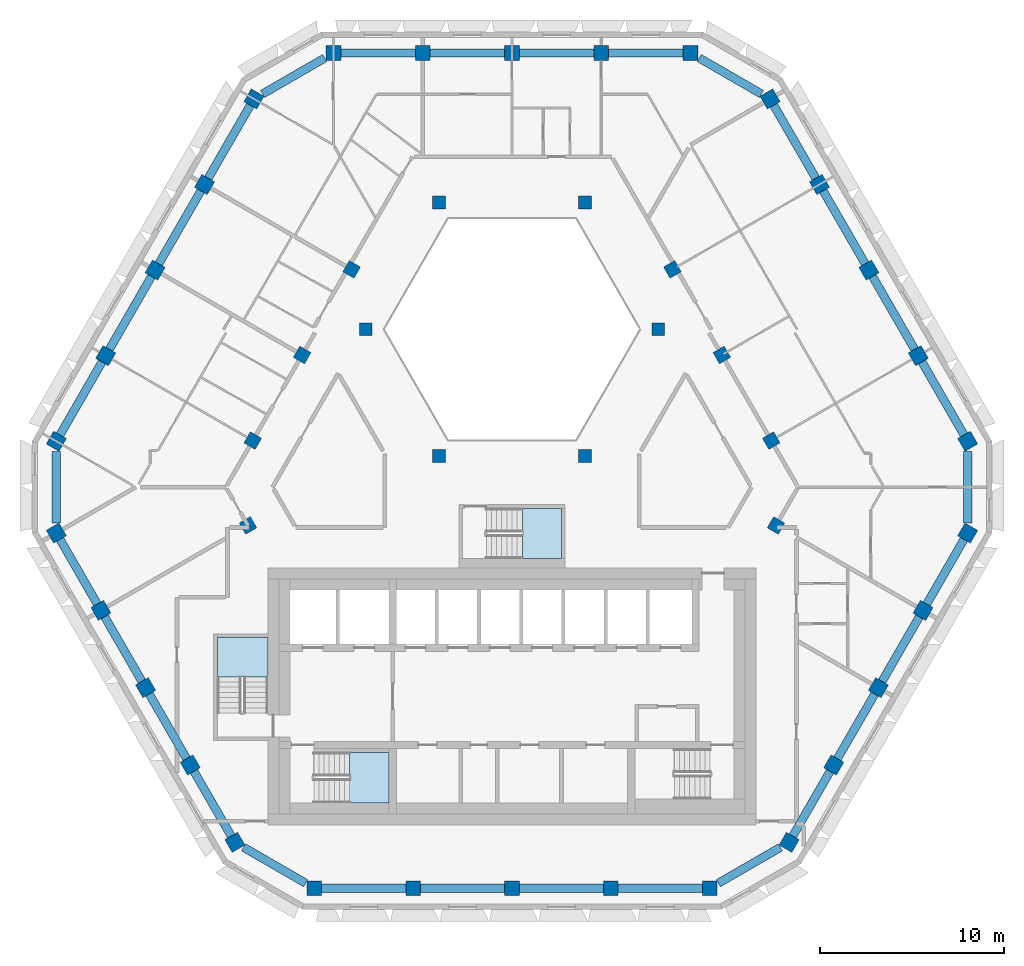
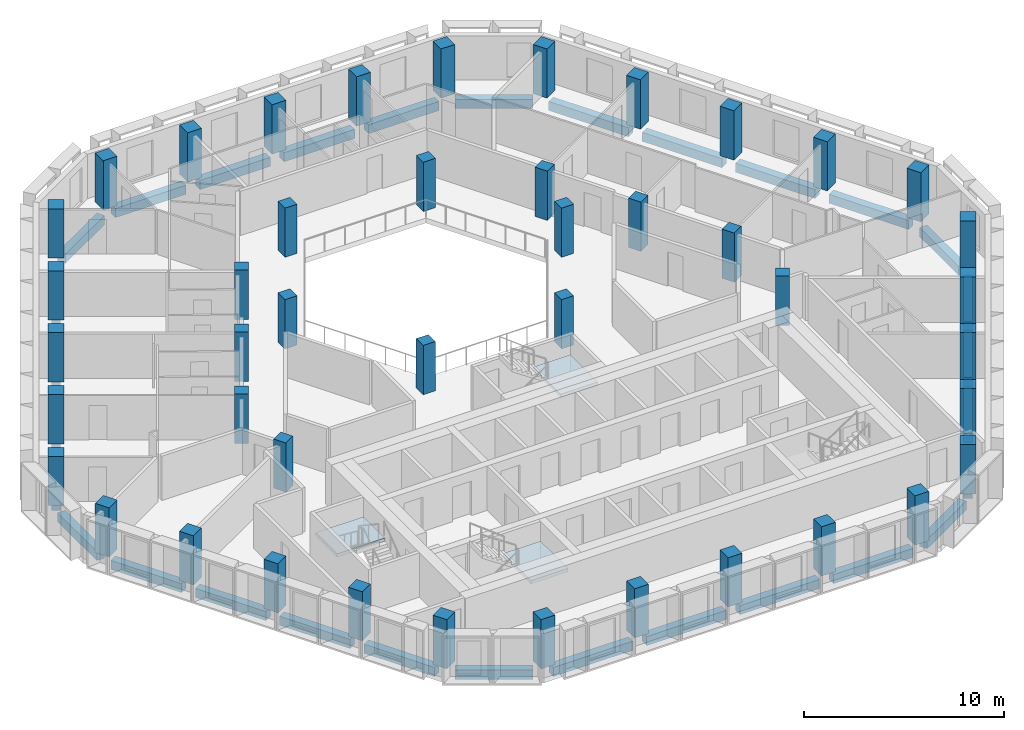
# One storey, part 1 of 15: 44 columns, 30 beams, 3 slabs, 3 elements without a shape of their own.
"""IFC4 building model written with IfcOpenShell, lengths in metres."""

from ifc_helpers import new_model, si_unit, direction, frame, origin, origin_2d, place, context, subcontext, project, spatial, polyline, rectangle, outline, extrude, material, layer, layer_set, material_profile, profile_set, type_object, element, aggregate, save


model = new_model("IFC4")

# Units and contexts
model_context = context("Model", 3, precision=1e-05, world=origin(), true_north=direction((0.0, 1.0)))
body_context = subcontext(model_context, "Body", "Model", "MODEL_VIEW")
ifc_project = project(units=[si_unit("LENGTHUNIT", "METRE"), si_unit("AREAUNIT", "SQUARE_METRE"), si_unit("VOLUMEUNIT", "CUBIC_METRE"), si_unit("PLANEANGLEUNIT", "RADIAN"), si_unit("MASSUNIT", "GRAM", prefix="KILO")], contexts=[model_context])

# Site, building, storey
site_placement = place(None, origin())
site = spatial("IfcSite", under=ifc_project, at=site_placement, CompositionType="ELEMENT")
building_placement = place(site_placement, origin())
building = spatial("IfcBuilding", under=site, at=building_placement, Name="Beryl Residences", CompositionType="ELEMENT")
storey_placement = place(building_placement, frame((0.0, 0.0, 163.199951171875)))
storey = spatial("IfcBuildingStorey", under=building, at=storey_placement, Name="L49", CompositionType="ELEMENT", Elevation=163.199951171875)

# Columns
ifc_material_1 = material(Name="Concrete C50/60", Category="concrete")
ifc_material_profile_1 = material_profile(ifc_material_1, rectangle(XDim=0.800048828125, YDim=0.800048828125, at=origin_2d()))
ifc_profile_set_1 = profile_set([ifc_material_profile_1], Name="Concrete C50/60")
column_type_1 = type_object("IfcColumnType", Name="C4 tube column 800 x 800 C50/60", PredefinedType="COLUMN", material=ifc_profile_set_1)
for number, where, z_axis, x_axis, name in (
    (1, (9.72802734375, 23.050048828125, 0.0), (0.0, 0.0, 1.0), (-1.0, 0.0, 0.0), "C4-N1 L49"),
    (2, (4.864013671875, 23.050048828125, 0.0), (0.0, 0.0, 1.0), (-1.0, 0.0, 0.0), "C4-N2 L49"),
    (3, (0.0, 23.050048828125, 0.0), (0.0, 0.0, 1.0), (-1.0, 0.0, 0.0), "C4-N3 L49"),
    (4, (-4.864013671875, 23.050048828125, 0.0), (0.0, 0.0, 1.0), (-1.0, 0.0, 0.0), "C4-N4 L49"),
    (5, (-9.72802734375, 23.050048828125, 0.0), (0.0, 0.0, 1.0), (-1.0, 0.0, 0.0), "C4-N5 L49"),
    (6, (-14.05810546875, 20.550048828125, 0.0), (0.0, 0.0, 1.0), (-0.5, -0.866025403784, 0.0), "C4-NW1 L49"),
    (7, (-16.75, 15.887939453125, 0.0), (0.0, 0.0, 1.0), (-0.5, -0.866025403784, 0.0), "C4-NW2 L49"),
    (8, (-19.44189453125, 11.22509765625, 0.0), (0.0, 0.0, 1.0), (-0.5, -0.866025403784, 0.0), "C4-NW3 L49"),
    (9, (-22.134033203125, 6.56201171875, 0.0), (0.0, 0.0, 1.0), (-0.5, -0.866025403784, 0.0), "C4-NW4 L49"),
    (10, (-24.825927734375, 1.89990234375, 0.0), (0.0, 0.0, 1.0), (-0.5, -0.866025403784, 0.0), "C4-NW5 L49"),
    (11, (-24.825927734375, -3.09912109375, 0.0), (0.0, 0.0, 1.0), (0.5, -0.866025403784, 0.0), "C4-SW1 L49"),
    (12, (-22.39404296875, -7.31201171875, 0.0), (0.0, 0.0, 1.0), (0.5, -0.866025403784, 0.0), "C4-SW2 L49"),
    (13, (-19.9619140625, -11.52392578125, 0.0), (0.0, 0.0, 1.0), (0.5, -0.866025403784, 0.0), "C4-SW3 L49"),
    (14, (-17.530029296875, -15.736083984375, 0.0), (0.0, 0.0, 1.0), (0.5, -0.866025403784, 0.0), "C4-SW4 L49"),
    (15, (-15.097900390625, -19.948974609375, 0.0), (0.0, 0.0, 1.0), (0.5, -0.866025403784, 0.0), "C4-SW5 L49"),
    (16, (-10.76708984375, -22.449951171875, 0.0), (0.0, 0.0, 1.0), (1.0, 0.0, 0.0), "C4-S1 L49"),
    (17, (-5.383056640625, -22.449951171875, 0.0), (0.0, 0.0, 1.0), (1.0, 0.0, 0.0), "C4-S2 L49"),
    (18, (0.0009765625, -22.449951171875, 0.0), (0.0, 0.0, 1.0), (1.0, 0.0, 0.0), "C4-S3 L49"),
    (19, (5.385009765625, -22.449951171875, 0.0), (0.0, 0.0, 1.0), (1.0, 0.0, 0.0), "C4-S4 L49"),
    (20, (10.76904296875, -22.449951171875, 0.0), (0.0, 0.0, 1.0), (1.0, 0.0, 0.0), "C4-S5 L49"),
    (21, (15.096923828125, -19.950927734375, 0.0), (0.0, 0.0, 1.0), (0.5, 0.866025403784, 0.0), "C4-SE1 L49"),
    (22, (17.529052734375, -15.738037109375, 0.0), (0.0, 0.0, 1.0), (0.5, 0.866025403784, 0.0), "C4-SE2 L49"),
    (23, (19.9609375, -11.52587890625, 0.0), (0.0, 0.0, 1.0), (0.5, 0.866025403784, 0.0), "C4-SE3 L49"),
    (24, (22.39306640625, -7.31396484375, 0.0), (0.0, 0.0, 1.0), (0.5, 0.866025403784, 0.0), "C4-SE4 L49"),
    (25, (24.824951171875, -3.10107421875, 0.0), (0.0, 0.0, 1.0), (0.5, 0.866025403784, 0.0), "C4-SE5 L49"),
    (26, (24.825927734375, 1.89990234375, 0.0), (0.0, 0.0, 1.0), (-0.5, 0.866025403784, 0.0), "C4-NE1 L49"),
    (27, (22.134033203125, 6.56201171875, 0.0), (0.0, 0.0, 1.0), (-0.5, 0.866025403784, 0.0), "C4-NE2 L49"),
    (28, (19.44189453125, 11.22509765625, 0.0), (0.0, 0.0, 1.0), (-0.5, 0.866025403784, 0.0), "C4-NE3 L49"),
    (29, (16.75, 15.887939453125, 0.0), (0.0, 0.0, 1.0), (-0.5, 0.866025403784, 0.0), "C4-NE4 L49"),
    (30, (14.05810546875, 20.550048828125, 0.0), (0.0, 0.0, 1.0), (-0.5, 0.866025403784, 0.0), "C4-NE5 L49"),
):
    element("IfcColumn", number, at=place(storey_placement, frame(where, z_axis=z_axis, x_axis=x_axis)), inside=storey, type_object=column_type_1, Name=name, PredefinedType="COLUMN", context=body_context, shape_type="SweptSolid", body=[
        extrude(rectangle(XDim=0.800048828125, YDim=0.800048828125, at=origin_2d()), origin(), (0.0, 0.0, 1.0), 3.0),
    ])
ifc_material_2 = material(Name="Concrete C50/60", Category="concrete")
ifc_material_profile_2 = material_profile(ifc_material_2, rectangle(XDim=0.699951171875, YDim=0.699951171875, at=origin_2d()))
ifc_profile_set_2 = profile_set([ifc_material_profile_2], Name="Concrete C50/60")
column_type_2 = type_object("IfcColumnType", Name="IC4 interior column 700 x 700 C50/60", PredefinedType="COLUMN", material=ifc_profile_set_2)
for number, where, z_axis, x_axis, name in (
    (31, (-14.383056640625, -2.68701171875, 0.0), (0.0, 0.0, 1.0), (0.5, -0.866025403784, 0.0), "IC4-M01 L49"),
    (32, (14.382080078125, -2.68896484375, 0.0), (0.0, 0.0, 1.0), (0.5, 0.866025403784, 0.0), "IC4-M02 L49"),
    (33, (14.123046875, 1.93701171875, 0.0), (0.0, 0.0, 1.0), (-0.5, 0.866025403784, 0.0), "IC4-M03 L49"),
    (34, (3.98388671875, 1.10009765625, 0.0), (0.0, 0.0, 1.0), (1.0, 0.0, 0.0), "IC4-A04 L49"),
    (35, (11.430908203125, 6.60009765625, 0.0), (0.0, 0.0, 1.0), (-0.5, 0.866025403784, 0.0), "IC4-M05 L49"),
    (36, (7.967041015625, 8.0, 0.0), (0.0, 0.0, 1.0), (1.0, 0.0, 0.0), "IC4-A06 L49"),
    (37, (8.739013671875, 11.262939453125, 0.0), (0.0, 0.0, 1.0), (-0.5, 0.866025403784, 0.0), "IC4-M07 L49"),
    (38, (3.98388671875, 14.89990234375, 0.0), (0.0, 0.0, 1.0), (1.0, 0.0, 0.0), "IC4-A08 L49"),
    (39, (-3.98388671875, 14.89990234375, 0.0), (0.0, 0.0, 1.0), (1.0, 0.0, 0.0), "IC4-A09 L49"),
    (40, (-8.739013671875, 11.262939453125, 0.0), (0.0, 0.0, 1.0), (-0.5, -0.866025403784, 0.0), "IC4-M10 L49"),
    (41, (-7.967041015625, 8.0, 0.0), (0.0, 0.0, 1.0), (1.0, 0.0, 0.0), "IC4-A11 L49"),
    (42, (-11.430908203125, 6.60009765625, 0.0), (0.0, 0.0, 1.0), (-0.5, -0.866025403784, 0.0), "IC4-M12 L49"),
    (43, (-3.98388671875, 1.10009765625, 0.0), (0.0, 0.0, 1.0), (1.0, 0.0, 0.0), "IC4-A13 L49"),
    (44, (-14.123046875, 1.93701171875, 0.0), (0.0, 0.0, 1.0), (-0.5, -0.866025403784, 0.0), "IC4-M14 L49"),
):
    element("IfcColumn", number, at=place(storey_placement, frame(where, z_axis=z_axis, x_axis=x_axis)), inside=storey, type_object=column_type_2, Name=name, PredefinedType="COLUMN", context=body_context, shape_type="SweptSolid", body=[
        extrude(rectangle(XDim=0.699951171875, YDim=0.699951171875, at=origin_2d()), origin(), (0.0, 0.0, 1.0), 3.0),
    ])

# Beams
ifc_material_3 = material(Name="Concrete C50/60", Category="concrete")
ifc_material_profile_3 = material_profile(ifc_material_3, rectangle(XDim=0.449951171875, YDim=0.550048828125, at=origin_2d()))
ifc_profile_set_3 = profile_set([ifc_material_profile_3], Name="Concrete C50/60")
beam_type = type_object("IfcBeamType", Name="SB4 spandrel beam 450 x 550 C50/60", PredefinedType="SPANDREL", material=ifc_profile_set_3)
beam_1_placement = place(storey_placement, frame((9.327880859375, 23.050048828125, -0.574951171875), z_axis=(-1.0, 0.0, 0.0), x_axis=(0.0, -1.0, 0.0)))
element("IfcBeam", 45, at=beam_1_placement, inside=storey, type_object=beam_type, Name="SB4 L49 N-0", PredefinedType="SPANDREL", context=body_context, shape_type="SweptSolid", body=[
    extrude(rectangle(XDim=0.449951171875, YDim=0.550048828125, at=origin_2d()), origin(), (0.0, 0.0, 1.0), 4.06396484375),
])
for number, where, z_axis, x_axis, name in (
    (46, (4.464111328125, 23.050048828125, -0.574951171875), (-1.0, 0.0, 0.0), (0.0, -1.0, 0.0), "SB4 L49 N-1"),
    (47, (-0.39990234375, 23.050048828125, -0.574951171875), (-1.0, 0.0, 0.0), (0.0, -1.0, 0.0), "SB4 L49 N-2"),
):
    element("IfcBeam", number, at=place(storey_placement, frame(where, z_axis=z_axis, x_axis=x_axis)), inside=storey, type_object=beam_type, Name=name, PredefinedType="SPANDREL", context=body_context, shape_type="SweptSolid", body=[
        extrude(rectangle(XDim=0.449951171875, YDim=0.550048828125, at=origin_2d()), origin(), (0.0, 0.0, 1.0), 4.064208984375),
    ])
beam_2_placement = place(storey_placement, frame((-5.263916015625, 23.050048828125, -0.574951171875), z_axis=(-1.0, 0.0, 0.0), x_axis=(0.0, -1.0, 0.0)))
element("IfcBeam", 48, at=beam_2_placement, inside=storey, type_object=beam_type, Name="SB4 L49 N-3", PredefinedType="SPANDREL", context=body_context, shape_type="SweptSolid", body=[
    extrude(rectangle(XDim=0.449951171875, YDim=0.550048828125, at=origin_2d()), origin(), (0.0, 0.0, 1.0), 4.06396484375),
])
beam_3_placement = place(storey_placement, frame((-10.200927734375, 22.777099609375, -0.574951171875), z_axis=(-0.865988935984, -0.500063158763, 0.0), x_axis=(0.500063158763, -0.865988935984, 0.0)))
element("IfcBeam", 49, at=beam_3_placement, inside=storey, type_object=beam_type, Name="SB4 L49 N-4", PredefinedType="SPANDREL", context=body_context, shape_type="SweptSolid", body=[
    extrude(rectangle(XDim=0.449951171875, YDim=0.550048828125, at=origin_2d()), origin(), (0.0, 0.0, 1.0), 3.90771484375),
])
beam_4_placement = place(storey_placement, frame((-14.258056640625, 20.2041015625, -0.574951171875), z_axis=(-0.499965247104, -0.866045467449, 0.0), x_axis=(0.866045467449, -0.499965247104, 0.0)))
element("IfcBeam", 50, at=beam_4_placement, inside=storey, type_object=beam_type, Name="SB4 L49 NW-0", PredefinedType="SPANDREL", context=body_context, shape_type="SweptSolid", body=[
    extrude(rectangle(XDim=0.449951171875, YDim=0.550048828125, at=origin_2d()), origin(), (0.0, 0.0, 1.0), 4.584228515625),
])
for number, where, z_axis, x_axis, name in (
    (51, (-16.949951171875, 15.5419921875, -0.574951171875), (-0.499896077001, -0.866085395443, 0.0), (0.866085395443, -0.499896077001, 0.0), "SB4 L49 NW-1"),
    (52, (-19.64208984375, 10.87890625, -0.574951171875), (-0.499896077001, -0.866085395443, 0.0), (0.866085395443, -0.499896077001, 0.0), "SB4 L49 NW-2"),
):
    element("IfcBeam", number, at=place(storey_placement, frame(where, z_axis=z_axis, x_axis=x_axis)), inside=storey, type_object=beam_type, Name=name, PredefinedType="SPANDREL", context=body_context, shape_type="SweptSolid", body=[
        extrude(rectangle(XDim=0.449951171875, YDim=0.550048828125, at=origin_2d()), origin(), (0.0, 0.0, 1.0), 4.5849609375),
    ])
beam_5_placement = place(storey_placement, frame((-22.333984375, 6.216064453125, -0.574951171875), z_axis=(-0.49998830735, -0.866032154434, 0.0), x_axis=(0.866032154434, -0.49998830735, 0.0)))
element("IfcBeam", 53, at=beam_5_placement, inside=storey, type_object=beam_type, Name="SB4 L49 NW-3", PredefinedType="SPANDREL", context=body_context, shape_type="SweptSolid", body=[
    extrude(rectangle(XDim=0.449951171875, YDim=0.550048828125, at=origin_2d()), origin(), (0.0, 0.0, 1.0), 4.583984375),
])
beam_6_placement = place(storey_placement, frame((-24.825927734375, 1.35400390625, -0.574951171875), z_axis=(0.0, -1.0, 0.0), x_axis=(1.0, 0.0, 0.0)))
element("IfcBeam", 54, at=beam_6_placement, inside=storey, type_object=beam_type, Name="SB4 L49 NW-4", PredefinedType="SPANDREL", context=body_context, shape_type="SweptSolid", body=[
    extrude(rectangle(XDim=0.449951171875, YDim=0.550048828125, at=origin_2d()), origin(), (0.0, 0.0, 1.0), 3.906982421875),
])
beam_7_placement = place(storey_placement, frame((-24.6259765625, -3.445068359375, -0.574951171875), z_axis=(0.499840293234, -0.866117590896, 0.0), x_axis=(0.866117590896, 0.499840293234, 0.0)))
element("IfcBeam", 55, at=beam_7_placement, inside=storey, type_object=beam_type, Name="SB4 L49 SW-0", PredefinedType="SPANDREL", context=body_context, shape_type="SweptSolid", body=[
    extrude(rectangle(XDim=0.449951171875, YDim=0.550048828125, at=origin_2d()), origin(), (0.0, 0.0, 1.0), 4.065185546875),
])
beam_8_placement = place(storey_placement, frame((-22.194091796875, -7.657958984375, -0.574951171875), z_axis=(0.499944307952, -0.866057555216, 0.0), x_axis=(0.866057555216, 0.499944307952, 0.0)))
element("IfcBeam", 56, at=beam_8_placement, inside=storey, type_object=beam_type, Name="SB4 L49 SW-1", PredefinedType="SPANDREL", context=body_context, shape_type="SweptSolid", body=[
    extrude(rectangle(XDim=0.449951171875, YDim=0.550048828125, at=origin_2d()), origin(), (0.0, 0.0, 1.0), 4.064453125),
])
beam_9_placement = place(storey_placement, frame((-19.761962890625, -11.8701171875, -0.574951171875), z_axis=(0.499970317269, -0.866042540439, 0.0), x_axis=(0.866042540439, 0.499970317269, 0.0)))
element("IfcBeam", 57, at=beam_9_placement, inside=storey, type_object=beam_type, Name="SB4 L49 SW-2", PredefinedType="SPANDREL", context=body_context, shape_type="SweptSolid", body=[
    extrude(rectangle(XDim=0.449951171875, YDim=0.550048828125, at=origin_2d()), origin(), (0.0, 0.0, 1.0), 4.064208984375),
])
beam_10_placement = place(storey_placement, frame((-17.330078125, -16.08203125, -0.574951171875), z_axis=(0.499840293234, -0.866117590896, 0.0), x_axis=(0.866117590896, 0.499840293234, 0.0)))
element("IfcBeam", 58, at=beam_10_placement, inside=storey, type_object=beam_type, Name="SB4 L49 SW-3", PredefinedType="SPANDREL", context=body_context, shape_type="SweptSolid", body=[
    extrude(rectangle(XDim=0.449951171875, YDim=0.550048828125, at=origin_2d()), origin(), (0.0, 0.0, 1.0), 4.065185546875),
])
beam_11_placement = place(storey_placement, frame((-14.625, -20.221923828125, -0.574951171875), z_axis=(0.865943218558, -0.500142321977, 0.0), x_axis=(0.500142321977, 0.865943218558, 0.0)))
element("IfcBeam", 59, at=beam_11_placement, inside=storey, type_object=beam_type, Name="SB4 L49 SW-4", PredefinedType="SPANDREL", context=body_context, shape_type="SweptSolid", body=[
    extrude(rectangle(XDim=0.449951171875, YDim=0.550048828125, at=origin_2d()), origin(), (0.0, 0.0, 1.0), 3.908935546875),
])
for number, where, z_axis, x_axis, name in (
    (60, (-10.366943359375, -22.449951171875, -0.574951171875), (1.0, 0.0, 0.0), (0.0, 1.0, 0.0), "SB4 L49 S-0"),
    (61, (-4.98291015625, -22.449951171875, -0.574951171875), (1.0, 0.0, 0.0), (0.0, 1.0, 0.0), "SB4 L49 S-1"),
):
    element("IfcBeam", number, at=place(storey_placement, frame(where, z_axis=z_axis, x_axis=x_axis)), inside=storey, type_object=beam_type, Name=name, PredefinedType="SPANDREL", context=body_context, shape_type="SweptSolid", body=[
        extrude(rectangle(XDim=0.449951171875, YDim=0.550048828125, at=origin_2d()), origin(), (0.0, 0.0, 1.0), 4.583984375),
    ])
beam_12_placement = place(storey_placement, frame((0.40087890625, -22.449951171875, -0.574951171875), z_axis=(1.0, 0.0, 0.0), x_axis=(0.0, 1.0, 0.0)))
element("IfcBeam", 62, at=beam_12_placement, inside=storey, type_object=beam_type, Name="SB4 L49 S-2", PredefinedType="SPANDREL", context=body_context, shape_type="SweptSolid", body=[
    extrude(rectangle(XDim=0.449951171875, YDim=0.550048828125, at=origin_2d()), origin(), (0.0, 0.0, 1.0), 4.584228515625),
])
beam_13_placement = place(storey_placement, frame((5.784912109375, -22.449951171875, -0.574951171875), z_axis=(1.0, 0.0, 0.0), x_axis=(0.0, 1.0, 0.0)))
element("IfcBeam", 63, at=beam_13_placement, inside=storey, type_object=beam_type, Name="SB4 L49 S-3", PredefinedType="SPANDREL", context=body_context, shape_type="SweptSolid", body=[
    extrude(rectangle(XDim=0.449951171875, YDim=0.550048828125, at=origin_2d()), origin(), (0.0, 0.0, 1.0), 4.583984375),
])
beam_14_placement = place(storey_placement, frame((11.241943359375, -22.177001953125, -0.574951171875), z_axis=(0.865999234303, 0.500045324131, 0.0), x_axis=(-0.500045324131, 0.865999234303, 0.0)))
element("IfcBeam", 64, at=beam_14_placement, inside=storey, type_object=beam_type, Name="SB4 L49 S-4", PredefinedType="SPANDREL", context=body_context, shape_type="SweptSolid", body=[
    extrude(rectangle(XDim=0.449951171875, YDim=0.550048828125, at=origin_2d()), origin(), (0.0, 0.0, 1.0), 3.905517578125),
])
beam_15_placement = place(storey_placement, frame((15.297119140625, -19.60498046875, -0.574951171875), z_axis=(0.499840293234, 0.866117590896, 0.0), x_axis=(-0.866117590896, 0.499840293234, 0.0)))
element("IfcBeam", 65, at=beam_15_placement, inside=storey, type_object=beam_type, Name="SB4 L49 SE-0", PredefinedType="SPANDREL", context=body_context, shape_type="SweptSolid", body=[
    extrude(rectangle(XDim=0.449951171875, YDim=0.550048828125, at=origin_2d()), origin(), (0.0, 0.0, 1.0), 4.065185546875),
])
for number, where, z_axis, x_axis, name in (
    (66, (17.72900390625, -15.39208984375, -0.574951171875), (0.499944307952, 0.866057555216, 0.0), (-0.866057555216, 0.499944307952, 0.0), "SB4 L49 SE-1"),
    (67, (20.160888671875, -11.179931640625, -0.574951171875), (0.499989360119, 0.866031546636, 0.0), (-0.866031546636, 0.499989360119, 0.0), "SB4 L49 SE-2"),
):
    element("IfcBeam", number, at=place(storey_placement, frame(where, z_axis=z_axis, x_axis=x_axis)), inside=storey, type_object=beam_type, Name=name, PredefinedType="SPANDREL", context=body_context, shape_type="SweptSolid", body=[
        extrude(rectangle(XDim=0.449951171875, YDim=0.550048828125, at=origin_2d()), origin(), (0.0, 0.0, 1.0), 4.064453125),
    ])
beam_16_placement = place(storey_placement, frame((22.593017578125, -6.968017578125, -0.574951171875), z_axis=(0.499840293234, 0.866117590896, 0.0), x_axis=(-0.866117590896, 0.499840293234, 0.0)))
element("IfcBeam", 68, at=beam_16_placement, inside=storey, type_object=beam_type, Name="SB4 L49 SE-3", PredefinedType="SPANDREL", context=body_context, shape_type="SweptSolid", body=[
    extrude(rectangle(XDim=0.449951171875, YDim=0.550048828125, at=origin_2d()), origin(), (0.0, 0.0, 1.0), 4.065185546875),
])
beam_17_placement = place(storey_placement, frame((24.824951171875, -2.554931640625, -0.574951171875), z_axis=(0.000249828235, 0.999999968793, 0.0), x_axis=(-0.999999968793, 0.000249828235, 0.0)))
element("IfcBeam", 69, at=beam_17_placement, inside=storey, type_object=beam_type, Name="SB4 L49 SE-4", PredefinedType="SPANDREL", context=body_context, shape_type="SweptSolid", body=[
    extrude(rectangle(XDim=0.449951171875, YDim=0.550048828125, at=origin_2d()), origin(), (0.0, 0.0, 1.0), 3.908935546875),
])
beam_18_placement = place(storey_placement, frame((24.6259765625, 2.24609375, -0.574951171875), z_axis=(-0.49998830735, 0.866032154434, 0.0), x_axis=(-0.866032154434, -0.49998830735, 0.0)))
element("IfcBeam", 70, at=beam_18_placement, inside=storey, type_object=beam_type, Name="SB4 L49 NE-0", PredefinedType="SPANDREL", context=body_context, shape_type="SweptSolid", body=[
    extrude(rectangle(XDim=0.449951171875, YDim=0.550048828125, at=origin_2d()), origin(), (0.0, 0.0, 1.0), 4.583984375),
])
for number, where, z_axis, x_axis, name in (
    (71, (21.93408203125, 6.907958984375, -0.574951171875), (-0.499896077001, 0.866085395443, 0.0), (-0.866085395443, -0.499896077001, 0.0), "SB4 L49 NE-1"),
    (72, (19.241943359375, 11.571044921875, -0.574951171875), (-0.499896077001, 0.866085395443, 0.0), (-0.866085395443, -0.499896077001, 0.0), "SB4 L49 NE-2"),
):
    element("IfcBeam", number, at=place(storey_placement, frame(where, z_axis=z_axis, x_axis=x_axis)), inside=storey, type_object=beam_type, Name=name, PredefinedType="SPANDREL", context=body_context, shape_type="SweptSolid", body=[
        extrude(rectangle(XDim=0.449951171875, YDim=0.550048828125, at=origin_2d()), origin(), (0.0, 0.0, 1.0), 4.5849609375),
    ])
beam_19_placement = place(storey_placement, frame((16.550048828125, 16.23388671875, -0.574951171875), z_axis=(-0.499965247104, 0.866045467449, 0.0), x_axis=(-0.866045467449, -0.499965247104, 0.0)))
element("IfcBeam", 73, at=beam_19_placement, inside=storey, type_object=beam_type, Name="SB4 L49 NE-3", PredefinedType="SPANDREL", context=body_context, shape_type="SweptSolid", body=[
    extrude(rectangle(XDim=0.449951171875, YDim=0.550048828125, at=origin_2d()), origin(), (0.0, 0.0, 1.0), 4.584228515625),
])
beam_20_placement = place(storey_placement, frame((13.5849609375, 20.822998046875, -0.574951171875), z_axis=(-0.865988935984, 0.500063158763, 0.0), x_axis=(-0.500063158763, -0.865988935984, 0.0)))
element("IfcBeam", 74, at=beam_20_placement, inside=storey, type_object=beam_type, Name="SB4 L49 NE-4", PredefinedType="SPANDREL", context=body_context, shape_type="SweptSolid", body=[
    extrude(rectangle(XDim=0.449951171875, YDim=0.550048828125, at=origin_2d()), origin(), (0.0, 0.0, 1.0), 3.90771484375),
])

# Stair, slab
ifc_material_4 = material(Name="Concrete C40/50", Category="concrete")
stair_type = type_object("IfcStairType", Name="ST1 protected exit stair, half-turn, 1300 mm flights", PredefinedType="HALF_TURN_STAIR", material=ifc_material_4)
stair_1_placement = place(storey_placement, origin())
stair_1 = element("IfcStair", 75, at=stair_1_placement, inside=storey, type_object=stair_type, Name="L49 PROTECTED EXIT STAIR ST-1", PredefinedType="HALF_TURN_STAIR")
ifc_material_5 = material(Name="Concrete C40/50", Category="concrete")
ifc_layer = layer(ifc_material_5, 0.199951171875)
ifc_layer_set = layer_set([ifc_layer], Name="SLD1 stair landing 200 mm")
slab_type = type_object("IfcSlabType", Name="SLD1 stair landing 200 mm", PredefinedType="LANDING", material=ifc_layer_set)
slab_1_placement = place(storey_placement, frame((0.0, 0.0, 1.300048828125)))
slab_1 = element("IfcSlab", 76, at=slab_1_placement, type_object=slab_type, Name="ST-1 landing 1", PredefinedType="LANDING", context=body_context, shape_type="SweptSolid", body=[
    extrude(outline(polyline([(-8.840087890625, -17.800048828125), (-6.699951171875, -17.800048828125), (-6.699951171875, -15.050048828125), (-8.840087890625, -15.050048828125), (-8.840087890625, -17.800048828125)])), origin(), (0.0, 0.0, 1.0), 0.199951171875),
])
aggregate(stair_1, [slab_1])

stair_2_placement = place(storey_placement, origin())
stair_2 = element("IfcStair", 77, at=stair_2_placement, inside=storey, type_object=stair_type, Name="L49 PROTECTED EXIT STAIR ST-2", PredefinedType="HALF_TURN_STAIR")
slab_2_placement = place(storey_placement, frame((0.0, 0.0, 1.300048828125)))
slab_2 = element("IfcSlab", 78, at=slab_2_placement, type_object=slab_type, Name="ST-2 landing 1", PredefinedType="LANDING", context=body_context, shape_type="SweptSolid", body=[
    extrude(outline(polyline([(-13.300048828125, -10.93994140625), (-13.300048828125, -8.800048828125), (-16.050048828125, -8.800048828125), (-16.050048828125, -10.93994140625), (-13.300048828125, -10.93994140625)])), origin(), (0.0, 0.0, 1.0), 0.199951171875),
])
aggregate(stair_2, [slab_2])

stair_3_placement = place(storey_placement, origin())
stair_3 = element("IfcStair", 79, at=stair_3_placement, inside=storey, type_object=stair_type, Name="L49 PROTECTED EXIT STAIR ST-4", PredefinedType="HALF_TURN_STAIR")
slab_3_placement = place(storey_placement, frame((0.0, 0.0, 1.300048828125)))
slab_3 = element("IfcSlab", 80, at=slab_3_placement, type_object=slab_type, Name="ST-4 landing 1", PredefinedType="LANDING", context=body_context, shape_type="SweptSolid", body=[
    extrude(outline(polyline([(0.56005859375, -4.5), (2.699951171875, -4.5), (2.699951171875, -1.75), (0.56005859375, -1.75), (0.56005859375, -4.5)])), origin(), (0.0, 0.0, 1.0), 0.199951171875),
])
aggregate(stair_3, [slab_3])

save(model, "model.ifc")
